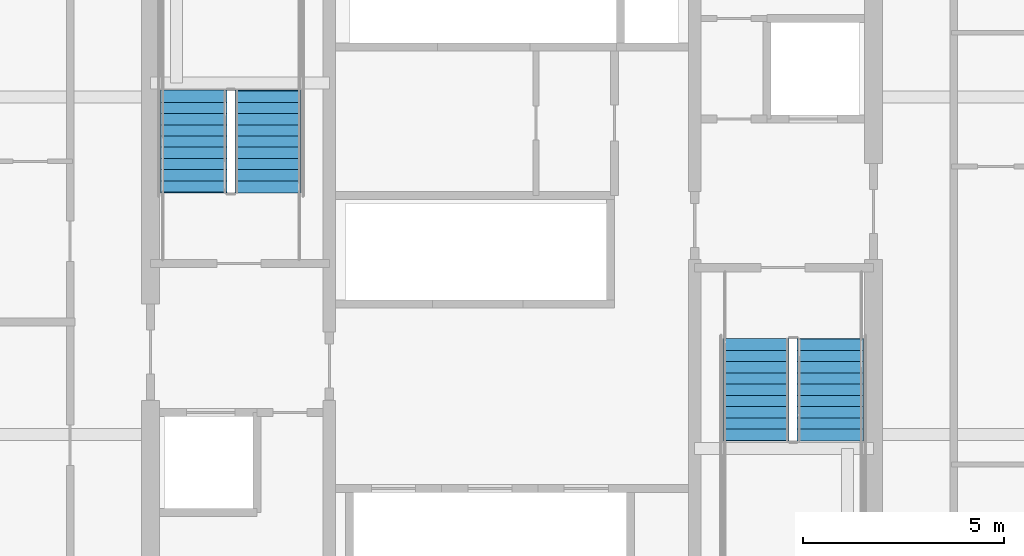
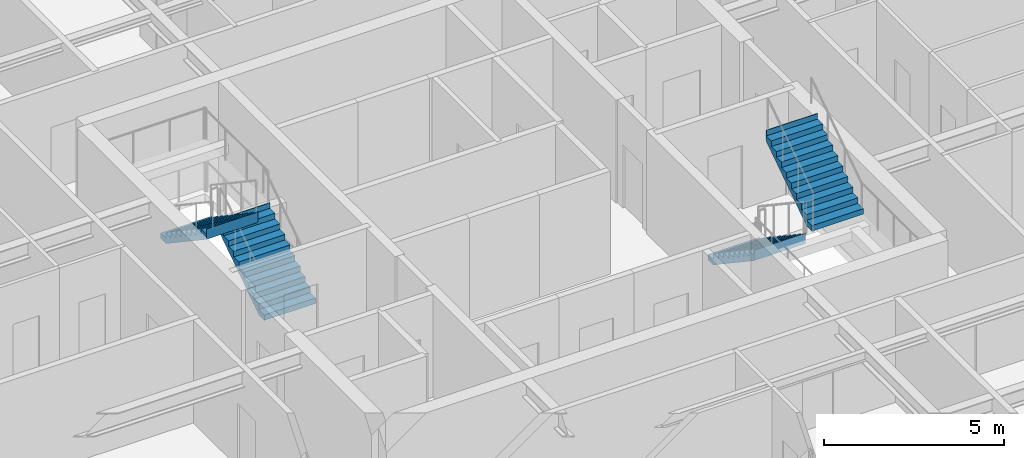
# One storey, part 34 of 41: 4 stair flights, 2 elements without a shape of their own.
"""IFC4 building model written with IfcOpenShell, lengths in metres."""

from ifc_helpers import new_model, si_unit, direction, frame, origin, place, context, subcontext, project, spatial, polygons, material, type_object, element, aggregate, save


model = new_model("IFC4")

# Units and contexts
model_context = context("Model", 3, precision=1e-05, world=origin(), true_north=direction((0.0, 1.0)))
body_context = subcontext(model_context, "Body", "Model", "MODEL_VIEW")
ifc_project = project(units=[si_unit("LENGTHUNIT", "METRE"), si_unit("AREAUNIT", "SQUARE_METRE"), si_unit("VOLUMEUNIT", "CUBIC_METRE"), si_unit("PLANEANGLEUNIT", "RADIAN"), si_unit("MASSUNIT", "GRAM", prefix="KILO")], contexts=[model_context])

# Site, building, storey
site_placement = place(None, origin())
site = spatial("IfcSite", under=ifc_project, at=site_placement, CompositionType="ELEMENT")
building_placement = place(site_placement, origin())
building = spatial("IfcBuilding", under=site, at=building_placement, Name="Serunith Strait Residences", CompositionType="ELEMENT")
storey_placement = place(building_placement, frame((0.0, 0.0, 45.449951171875)))
storey = spatial("IfcBuildingStorey", under=building, at=storey_placement, Name="L10", CompositionType="ELEMENT", Elevation=45.449951171875)

# Stair, stair flights
ifc_material = material(Name="Concrete C50/60", Category="concrete")
stair_type_1 = type_object("IfcStairType", Name="STR-CORE-1", PredefinedType="HALF_TURN_STAIR", material=ifc_material)
stair_1_placement = place(storey_placement, origin())
stair_1 = element("IfcStair", 1, at=stair_1_placement, inside=storey, type_object=stair_type_1, Name="L10 Protected Escape Stair ST-1", PredefinedType="HALF_TURN_STAIR")
stair_flight_type_1 = type_object("IfcStairFlightType", Name="FLT-CORE-1", PredefinedType="STRAIGHT", material=ifc_material)
stair_flight_1_placement = place(storey_placement, frame((26.324951171875, 27.030029296875, 0.0), z_axis=(0.0, 0.0, 1.0), x_axis=(0.0, 1.0, 0.0)))
stair_flight_1 = element("IfcStairFlight", 2, at=stair_flight_1_placement, type_object=stair_flight_type_1, Name="ST-1 flight 1", NumberOfRisers=10, NumberOfTreads=9, PredefinedType="STRAIGHT", RiserHeight=0.1875, TreadLength=0.28, context=body_context, shape_type="Tessellation", body=[
    polygons([(-0.02001953125, -0.824951171875, 0.0), (-0.02001953125, -0.824951171875, 0.1875), (0.280029296875, -0.824951171875, 0.1875), (0.280029296875, -0.824951171875, 0.375), (0.56005859375, -0.824951171875, 0.375), (0.56005859375, -0.824951171875, 0.5625), (0.840087890625, -0.824951171875, 0.5625), (0.840087890625, -0.824951171875, 0.75), (1.1201171875, -0.824951171875, 0.75), (1.1201171875, -0.824951171875, 0.9375), (1.39990234375, -0.824951171875, 0.9375), (1.39990234375, -0.824951171875, 1.125), (1.679931640625, -0.824951171875, 1.125), (1.679931640625, -0.824951171875, 1.3125), (1.9599609375, -0.824951171875, 1.3125), (1.9599609375, -0.824951171875, 1.5), (2.239990234375, -0.824951171875, 1.5), (2.239990234375, -0.824951171875, 1.6875), (2.52001953125, -0.824951171875, 1.6875), (2.52001953125, -0.824951171875, 1.875), (2.5400390625, -0.824951171875, 1.875), (2.5400390625, -0.824951171875, 1.81494140625), (2.52001953125, -0.824951171875, 1.507080078125), (0.26953125, -0.824951171875, 0.0), (-0.02001953125, -0.41259765625, 0.0), (-0.02001953125, -0.41259765625, 0.1875), (0.280029296875, -0.41259765625, 0.1875), (0.280029296875, -0.41259765625, 0.375), (0.56005859375, -0.41259765625, 0.375), (0.56005859375, -0.41259765625, 0.5625), (0.840087890625, -0.41259765625, 0.5625), (0.840087890625, -0.41259765625, 0.75), (1.1201171875, -0.41259765625, 0.75), (1.1201171875, -0.41259765625, 0.9375), (1.39990234375, -0.41259765625, 0.9375), (1.39990234375, -0.41259765625, 1.125), (1.679931640625, -0.41259765625, 1.125), (1.679931640625, -0.41259765625, 1.3125), (1.9599609375, -0.41259765625, 1.3125), (1.9599609375, -0.41259765625, 1.5), (2.239990234375, -0.41259765625, 1.5), (2.239990234375, -0.41259765625, 1.6875), (2.52001953125, -0.41259765625, 1.6875), (2.52001953125, -0.41259765625, 1.875), (2.5400390625, -0.41259765625, 1.875), (2.5400390625, -0.41259765625, 1.81494140625), (2.52001953125, -0.41259765625, 1.507080078125), (0.26953125, -0.41259765625, 0.0), (-0.02001953125, 0.0, 0.0), (-0.02001953125, 0.0, 0.1875), (0.280029296875, 0.0, 0.1875), (0.280029296875, 0.0, 0.375), (0.56005859375, 0.0, 0.375), (0.56005859375, 0.0, 0.5625), (0.840087890625, 0.0, 0.5625), (0.840087890625, 0.0, 0.75), (1.1201171875, 0.0, 0.75), (1.1201171875, 0.0, 0.9375), (1.39990234375, 0.0, 0.9375), (1.39990234375, 0.0, 1.125), (1.679931640625, 0.0, 1.125), (1.679931640625, 0.0, 1.3125), (1.9599609375, 0.0, 1.3125), (1.9599609375, 0.0, 1.5), (2.239990234375, 0.0, 1.5), (2.239990234375, 0.0, 1.6875), (2.52001953125, 0.0, 1.6875), (2.52001953125, 0.0, 1.875), (2.5400390625, 0.0, 1.875), (2.5400390625, 0.0, 1.81494140625), (2.52001953125, 0.0, 1.507080078125), (0.26953125, 0.0, 0.0), (-0.02001953125, 0.41259765625, 0.0), (-0.02001953125, 0.41259765625, 0.1875), (0.280029296875, 0.41259765625, 0.1875), (0.280029296875, 0.41259765625, 0.375), (0.56005859375, 0.41259765625, 0.375), (0.56005859375, 0.41259765625, 0.5625), (0.840087890625, 0.41259765625, 0.5625), (0.840087890625, 0.41259765625, 0.75), (1.1201171875, 0.41259765625, 0.75), (1.1201171875, 0.41259765625, 0.9375), (1.39990234375, 0.41259765625, 0.9375), (1.39990234375, 0.41259765625, 1.125), (1.679931640625, 0.41259765625, 1.125), (1.679931640625, 0.41259765625, 1.3125), (1.9599609375, 0.41259765625, 1.3125), (1.9599609375, 0.41259765625, 1.5), (2.239990234375, 0.41259765625, 1.5), (2.239990234375, 0.41259765625, 1.6875), (2.52001953125, 0.41259765625, 1.6875), (2.52001953125, 0.41259765625, 1.875), (2.5400390625, 0.41259765625, 1.875), (2.5400390625, 0.41259765625, 1.81494140625), (2.52001953125, 0.41259765625, 1.507080078125), (0.26953125, 0.41259765625, 0.0), (-0.02001953125, 0.824951171875, 0.0), (-0.02001953125, 0.824951171875, 0.1875), (0.280029296875, 0.824951171875, 0.1875), (0.280029296875, 0.824951171875, 0.375), (0.56005859375, 0.824951171875, 0.375), (0.56005859375, 0.824951171875, 0.5625), (0.840087890625, 0.824951171875, 0.5625), (0.840087890625, 0.824951171875, 0.75), (1.1201171875, 0.824951171875, 0.75), (1.1201171875, 0.824951171875, 0.9375), (1.39990234375, 0.824951171875, 0.9375), (1.39990234375, 0.824951171875, 1.125), (1.679931640625, 0.824951171875, 1.125), (1.679931640625, 0.824951171875, 1.3125), (1.9599609375, 0.824951171875, 1.3125), (1.9599609375, 0.824951171875, 1.5), (2.239990234375, 0.824951171875, 1.5), (2.239990234375, 0.824951171875, 1.6875), (2.52001953125, 0.824951171875, 1.6875), (2.52001953125, 0.824951171875, 1.875), (2.5400390625, 0.824951171875, 1.875), (2.5400390625, 0.824951171875, 1.81494140625), (2.52001953125, 0.824951171875, 1.507080078125), (0.26953125, 0.824951171875, 0.0)], [[[1, 2, 26, 25]], [[2, 3, 27, 26]], [[3, 4, 28, 27]], [[4, 5, 29, 28]], [[5, 6, 30, 29]], [[6, 7, 31, 30]], [[7, 8, 32, 31]], [[8, 9, 33, 32]], [[9, 10, 34, 33]], [[10, 11, 35, 34]], [[11, 12, 36, 35]], [[12, 13, 37, 36]], [[13, 14, 38, 37]], [[14, 15, 39, 38]], [[15, 16, 40, 39]], [[16, 17, 41, 40]], [[17, 18, 42, 41]], [[18, 19, 43, 42]], [[19, 20, 44, 43]], [[20, 21, 45, 44]], [[21, 22, 46, 45]], [[22, 23, 47, 46]], [[23, 24, 48, 47]], [[24, 1, 25, 48]], [[25, 26, 50, 49]], [[26, 27, 51, 50]], [[27, 28, 52, 51]], [[28, 29, 53, 52]], [[29, 30, 54, 53]], [[30, 31, 55, 54]], [[31, 32, 56, 55]], [[32, 33, 57, 56]], [[33, 34, 58, 57]], [[34, 35, 59, 58]], [[35, 36, 60, 59]], [[36, 37, 61, 60]], [[37, 38, 62, 61]], [[38, 39, 63, 62]], [[39, 40, 64, 63]], [[40, 41, 65, 64]], [[41, 42, 66, 65]], [[42, 43, 67, 66]], [[43, 44, 68, 67]], [[44, 45, 69, 68]], [[45, 46, 70, 69]], [[46, 47, 71, 70]], [[47, 48, 72, 71]], [[48, 25, 49, 72]], [[49, 50, 74, 73]], [[50, 51, 75, 74]], [[51, 52, 76, 75]], [[52, 53, 77, 76]], [[53, 54, 78, 77]], [[54, 55, 79, 78]], [[55, 56, 80, 79]], [[56, 57, 81, 80]], [[57, 58, 82, 81]], [[58, 59, 83, 82]], [[59, 60, 84, 83]], [[60, 61, 85, 84]], [[61, 62, 86, 85]], [[62, 63, 87, 86]], [[63, 64, 88, 87]], [[64, 65, 89, 88]], [[65, 66, 90, 89]], [[66, 67, 91, 90]], [[67, 68, 92, 91]], [[68, 69, 93, 92]], [[69, 70, 94, 93]], [[70, 71, 95, 94]], [[71, 72, 96, 95]], [[72, 49, 73, 96]], [[73, 74, 98, 97]], [[74, 75, 99, 98]], [[75, 76, 100, 99]], [[76, 77, 101, 100]], [[77, 78, 102, 101]], [[78, 79, 103, 102]], [[79, 80, 104, 103]], [[80, 81, 105, 104]], [[81, 82, 106, 105]], [[82, 83, 107, 106]], [[83, 84, 108, 107]], [[84, 85, 109, 108]], [[85, 86, 110, 109]], [[86, 87, 111, 110]], [[87, 88, 112, 111]], [[88, 89, 113, 112]], [[89, 90, 114, 113]], [[90, 91, 115, 114]], [[91, 92, 116, 115]], [[92, 93, 117, 116]], [[93, 94, 118, 117]], [[94, 95, 119, 118]], [[95, 96, 120, 119]], [[96, 73, 97, 120]], [[24, 23, 22, 21, 20, 19, 18, 17, 16, 15, 14, 13, 12, 11, 10, 9, 8, 7, 6, 5, 4, 3, 2, 1]], [[97, 98, 99, 100, 101, 102, 103, 104, 105, 106, 107, 108, 109, 110, 111, 112, 113, 114, 115, 116, 117, 118, 119, 120]]], closed=True),
])
stair_flight_2_placement = place(storey_placement, frame((24.47509765625, 29.550048828125, 1.875), z_axis=(0.0, 0.0, 1.0), x_axis=(0.0, -1.0, 0.0)))
stair_flight_2 = element("IfcStairFlight", 3, at=stair_flight_2_placement, type_object=stair_flight_type_1, Name="ST-1 flight 2", NumberOfRisers=10, NumberOfTreads=9, PredefinedType="STRAIGHT", RiserHeight=0.1875, TreadLength=0.28, context=body_context, shape_type="Tessellation", body=[
    polygons([(-0.02001953125, -0.824951171875, 0.0), (-0.02001953125, -0.824951171875, 0.1875), (0.280029296875, -0.824951171875, 0.1875), (0.280029296875, -0.824951171875, 0.375), (0.56005859375, -0.824951171875, 0.375), (0.56005859375, -0.824951171875, 0.5625), (0.840087890625, -0.824951171875, 0.5625), (0.840087890625, -0.824951171875, 0.75), (1.1201171875, -0.824951171875, 0.75), (1.1201171875, -0.824951171875, 0.9375), (1.39990234375, -0.824951171875, 0.9375), (1.39990234375, -0.824951171875, 1.125), (1.679931640625, -0.824951171875, 1.125), (1.679931640625, -0.824951171875, 1.3125), (1.9599609375, -0.824951171875, 1.3125), (1.9599609375, -0.824951171875, 1.5), (2.239990234375, -0.824951171875, 1.5), (2.239990234375, -0.824951171875, 1.6875), (2.52001953125, -0.824951171875, 1.6875), (2.52001953125, -0.824951171875, 1.875), (2.5400390625, -0.824951171875, 1.875), (2.5400390625, -0.824951171875, 1.81494140625), (2.52001953125, -0.824951171875, 1.507080078125), (0.26953125, -0.824951171875, 0.0), (-0.02001953125, -0.41259765625, 0.0), (-0.02001953125, -0.41259765625, 0.1875), (0.280029296875, -0.41259765625, 0.1875), (0.280029296875, -0.41259765625, 0.375), (0.56005859375, -0.41259765625, 0.375), (0.56005859375, -0.41259765625, 0.5625), (0.840087890625, -0.41259765625, 0.5625), (0.840087890625, -0.41259765625, 0.75), (1.1201171875, -0.41259765625, 0.75), (1.1201171875, -0.41259765625, 0.9375), (1.39990234375, -0.41259765625, 0.9375), (1.39990234375, -0.41259765625, 1.125), (1.679931640625, -0.41259765625, 1.125), (1.679931640625, -0.41259765625, 1.3125), (1.9599609375, -0.41259765625, 1.3125), (1.9599609375, -0.41259765625, 1.5), (2.239990234375, -0.41259765625, 1.5), (2.239990234375, -0.41259765625, 1.6875), (2.52001953125, -0.41259765625, 1.6875), (2.52001953125, -0.41259765625, 1.875), (2.5400390625, -0.41259765625, 1.875), (2.5400390625, -0.41259765625, 1.81494140625), (2.52001953125, -0.41259765625, 1.507080078125), (0.26953125, -0.41259765625, 0.0), (-0.02001953125, 0.0, 0.0), (-0.02001953125, 0.0, 0.1875), (0.280029296875, 0.0, 0.1875), (0.280029296875, 0.0, 0.375), (0.56005859375, 0.0, 0.375), (0.56005859375, 0.0, 0.5625), (0.840087890625, 0.0, 0.5625), (0.840087890625, 0.0, 0.75), (1.1201171875, 0.0, 0.75), (1.1201171875, 0.0, 0.9375), (1.39990234375, 0.0, 0.9375), (1.39990234375, 0.0, 1.125), (1.679931640625, 0.0, 1.125), (1.679931640625, 0.0, 1.3125), (1.9599609375, 0.0, 1.3125), (1.9599609375, 0.0, 1.5), (2.239990234375, 0.0, 1.5), (2.239990234375, 0.0, 1.6875), (2.52001953125, 0.0, 1.6875), (2.52001953125, 0.0, 1.875), (2.5400390625, 0.0, 1.875), (2.5400390625, 0.0, 1.81494140625), (2.52001953125, 0.0, 1.507080078125), (0.26953125, 0.0, 0.0), (-0.02001953125, 0.41259765625, 0.0), (-0.02001953125, 0.41259765625, 0.1875), (0.280029296875, 0.41259765625, 0.1875), (0.280029296875, 0.41259765625, 0.375), (0.56005859375, 0.41259765625, 0.375), (0.56005859375, 0.41259765625, 0.5625), (0.840087890625, 0.41259765625, 0.5625), (0.840087890625, 0.41259765625, 0.75), (1.1201171875, 0.41259765625, 0.75), (1.1201171875, 0.41259765625, 0.9375), (1.39990234375, 0.41259765625, 0.9375), (1.39990234375, 0.41259765625, 1.125), (1.679931640625, 0.41259765625, 1.125), (1.679931640625, 0.41259765625, 1.3125), (1.9599609375, 0.41259765625, 1.3125), (1.9599609375, 0.41259765625, 1.5), (2.239990234375, 0.41259765625, 1.5), (2.239990234375, 0.41259765625, 1.6875), (2.52001953125, 0.41259765625, 1.6875), (2.52001953125, 0.41259765625, 1.875), (2.5400390625, 0.41259765625, 1.875), (2.5400390625, 0.41259765625, 1.81494140625), (2.52001953125, 0.41259765625, 1.507080078125), (0.26953125, 0.41259765625, 0.0), (-0.02001953125, 0.824951171875, 0.0), (-0.02001953125, 0.824951171875, 0.1875), (0.280029296875, 0.824951171875, 0.1875), (0.280029296875, 0.824951171875, 0.375), (0.56005859375, 0.824951171875, 0.375), (0.56005859375, 0.824951171875, 0.5625), (0.840087890625, 0.824951171875, 0.5625), (0.840087890625, 0.824951171875, 0.75), (1.1201171875, 0.824951171875, 0.75), (1.1201171875, 0.824951171875, 0.9375), (1.39990234375, 0.824951171875, 0.9375), (1.39990234375, 0.824951171875, 1.125), (1.679931640625, 0.824951171875, 1.125), (1.679931640625, 0.824951171875, 1.3125), (1.9599609375, 0.824951171875, 1.3125), (1.9599609375, 0.824951171875, 1.5), (2.239990234375, 0.824951171875, 1.5), (2.239990234375, 0.824951171875, 1.6875), (2.52001953125, 0.824951171875, 1.6875), (2.52001953125, 0.824951171875, 1.875), (2.5400390625, 0.824951171875, 1.875), (2.5400390625, 0.824951171875, 1.81494140625), (2.52001953125, 0.824951171875, 1.507080078125), (0.26953125, 0.824951171875, 0.0)], [[[1, 2, 26, 25]], [[2, 3, 27, 26]], [[3, 4, 28, 27]], [[4, 5, 29, 28]], [[5, 6, 30, 29]], [[6, 7, 31, 30]], [[7, 8, 32, 31]], [[8, 9, 33, 32]], [[9, 10, 34, 33]], [[10, 11, 35, 34]], [[11, 12, 36, 35]], [[12, 13, 37, 36]], [[13, 14, 38, 37]], [[14, 15, 39, 38]], [[15, 16, 40, 39]], [[16, 17, 41, 40]], [[17, 18, 42, 41]], [[18, 19, 43, 42]], [[19, 20, 44, 43]], [[20, 21, 45, 44]], [[21, 22, 46, 45]], [[22, 23, 47, 46]], [[23, 24, 48, 47]], [[24, 1, 25, 48]], [[25, 26, 50, 49]], [[26, 27, 51, 50]], [[27, 28, 52, 51]], [[28, 29, 53, 52]], [[29, 30, 54, 53]], [[30, 31, 55, 54]], [[31, 32, 56, 55]], [[32, 33, 57, 56]], [[33, 34, 58, 57]], [[34, 35, 59, 58]], [[35, 36, 60, 59]], [[36, 37, 61, 60]], [[37, 38, 62, 61]], [[38, 39, 63, 62]], [[39, 40, 64, 63]], [[40, 41, 65, 64]], [[41, 42, 66, 65]], [[42, 43, 67, 66]], [[43, 44, 68, 67]], [[44, 45, 69, 68]], [[45, 46, 70, 69]], [[46, 47, 71, 70]], [[47, 48, 72, 71]], [[48, 25, 49, 72]], [[49, 50, 74, 73]], [[50, 51, 75, 74]], [[51, 52, 76, 75]], [[52, 53, 77, 76]], [[53, 54, 78, 77]], [[54, 55, 79, 78]], [[55, 56, 80, 79]], [[56, 57, 81, 80]], [[57, 58, 82, 81]], [[58, 59, 83, 82]], [[59, 60, 84, 83]], [[60, 61, 85, 84]], [[61, 62, 86, 85]], [[62, 63, 87, 86]], [[63, 64, 88, 87]], [[64, 65, 89, 88]], [[65, 66, 90, 89]], [[66, 67, 91, 90]], [[67, 68, 92, 91]], [[68, 69, 93, 92]], [[69, 70, 94, 93]], [[70, 71, 95, 94]], [[71, 72, 96, 95]], [[72, 49, 73, 96]], [[73, 74, 98, 97]], [[74, 75, 99, 98]], [[75, 76, 100, 99]], [[76, 77, 101, 100]], [[77, 78, 102, 101]], [[78, 79, 103, 102]], [[79, 80, 104, 103]], [[80, 81, 105, 104]], [[81, 82, 106, 105]], [[82, 83, 107, 106]], [[83, 84, 108, 107]], [[84, 85, 109, 108]], [[85, 86, 110, 109]], [[86, 87, 111, 110]], [[87, 88, 112, 111]], [[88, 89, 113, 112]], [[89, 90, 114, 113]], [[90, 91, 115, 114]], [[91, 92, 116, 115]], [[92, 93, 117, 116]], [[93, 94, 118, 117]], [[94, 95, 119, 118]], [[95, 96, 120, 119]], [[96, 73, 97, 120]], [[24, 23, 22, 21, 20, 19, 18, 17, 16, 15, 14, 13, 12, 11, 10, 9, 8, 7, 6, 5, 4, 3, 2, 1]], [[97, 98, 99, 100, 101, 102, 103, 104, 105, 106, 107, 108, 109, 110, 111, 112, 113, 114, 115, 116, 117, 118, 119, 120]]], closed=True),
])
aggregate(stair_1, [stair_flight_1, stair_flight_2])

stair_type_2 = type_object("IfcStairType", Name="STR-CORE-2", PredefinedType="HALF_TURN_STAIR", material=ifc_material)
stair_2_placement = place(storey_placement, origin())
stair_2 = element("IfcStair", 4, at=stair_2_placement, inside=storey, type_object=stair_type_2, Name="L10 Protected Escape Stair ST-2", PredefinedType="HALF_TURN_STAIR")
stair_flight_type_2 = type_object("IfcStairFlightType", Name="FLT-CORE-2", PredefinedType="STRAIGHT", material=ifc_material)
stair_flight_3_placement = place(storey_placement, frame((38.47509765625, 23.3701171875, 0.0), z_axis=(0.0, 0.0, 1.0), x_axis=(0.0, -1.0, 0.0)))
stair_flight_3 = element("IfcStairFlight", 5, at=stair_flight_3_placement, type_object=stair_flight_type_2, Name="ST-2 flight 1", NumberOfRisers=10, NumberOfTreads=9, PredefinedType="STRAIGHT", RiserHeight=0.1875, TreadLength=0.28, context=body_context, shape_type="Tessellation", body=[
    polygons([(-0.02001953125, -0.824951171875, 0.0), (-0.02001953125, -0.824951171875, 0.1875), (0.280029296875, -0.824951171875, 0.1875), (0.280029296875, -0.824951171875, 0.375), (0.56005859375, -0.824951171875, 0.375), (0.56005859375, -0.824951171875, 0.5625), (0.840087890625, -0.824951171875, 0.5625), (0.840087890625, -0.824951171875, 0.75), (1.1201171875, -0.824951171875, 0.75), (1.1201171875, -0.824951171875, 0.9375), (1.39990234375, -0.824951171875, 0.9375), (1.39990234375, -0.824951171875, 1.125), (1.679931640625, -0.824951171875, 1.125), (1.679931640625, -0.824951171875, 1.3125), (1.9599609375, -0.824951171875, 1.3125), (1.9599609375, -0.824951171875, 1.5), (2.239990234375, -0.824951171875, 1.5), (2.239990234375, -0.824951171875, 1.6875), (2.52001953125, -0.824951171875, 1.6875), (2.52001953125, -0.824951171875, 1.875), (2.5400390625, -0.824951171875, 1.875), (2.5400390625, -0.824951171875, 1.81494140625), (2.52001953125, -0.824951171875, 1.507080078125), (0.26953125, -0.824951171875, 0.0), (-0.02001953125, -0.41259765625, 0.0), (-0.02001953125, -0.41259765625, 0.1875), (0.280029296875, -0.41259765625, 0.1875), (0.280029296875, -0.41259765625, 0.375), (0.56005859375, -0.41259765625, 0.375), (0.56005859375, -0.41259765625, 0.5625), (0.840087890625, -0.41259765625, 0.5625), (0.840087890625, -0.41259765625, 0.75), (1.1201171875, -0.41259765625, 0.75), (1.1201171875, -0.41259765625, 0.9375), (1.39990234375, -0.41259765625, 0.9375), (1.39990234375, -0.41259765625, 1.125), (1.679931640625, -0.41259765625, 1.125), (1.679931640625, -0.41259765625, 1.3125), (1.9599609375, -0.41259765625, 1.3125), (1.9599609375, -0.41259765625, 1.5), (2.239990234375, -0.41259765625, 1.5), (2.239990234375, -0.41259765625, 1.6875), (2.52001953125, -0.41259765625, 1.6875), (2.52001953125, -0.41259765625, 1.875), (2.5400390625, -0.41259765625, 1.875), (2.5400390625, -0.41259765625, 1.81494140625), (2.52001953125, -0.41259765625, 1.507080078125), (0.26953125, -0.41259765625, 0.0), (-0.02001953125, 0.0, 0.0), (-0.02001953125, 0.0, 0.1875), (0.280029296875, 0.0, 0.1875), (0.280029296875, 0.0, 0.375), (0.56005859375, 0.0, 0.375), (0.56005859375, 0.0, 0.5625), (0.840087890625, 0.0, 0.5625), (0.840087890625, 0.0, 0.75), (1.1201171875, 0.0, 0.75), (1.1201171875, 0.0, 0.9375), (1.39990234375, 0.0, 0.9375), (1.39990234375, 0.0, 1.125), (1.679931640625, 0.0, 1.125), (1.679931640625, 0.0, 1.3125), (1.9599609375, 0.0, 1.3125), (1.9599609375, 0.0, 1.5), (2.239990234375, 0.0, 1.5), (2.239990234375, 0.0, 1.6875), (2.52001953125, 0.0, 1.6875), (2.52001953125, 0.0, 1.875), (2.5400390625, 0.0, 1.875), (2.5400390625, 0.0, 1.81494140625), (2.52001953125, 0.0, 1.507080078125), (0.26953125, 0.0, 0.0), (-0.02001953125, 0.41259765625, 0.0), (-0.02001953125, 0.41259765625, 0.1875), (0.280029296875, 0.41259765625, 0.1875), (0.280029296875, 0.41259765625, 0.375), (0.56005859375, 0.41259765625, 0.375), (0.56005859375, 0.41259765625, 0.5625), (0.840087890625, 0.41259765625, 0.5625), (0.840087890625, 0.41259765625, 0.75), (1.1201171875, 0.41259765625, 0.75), (1.1201171875, 0.41259765625, 0.9375), (1.39990234375, 0.41259765625, 0.9375), (1.39990234375, 0.41259765625, 1.125), (1.679931640625, 0.41259765625, 1.125), (1.679931640625, 0.41259765625, 1.3125), (1.9599609375, 0.41259765625, 1.3125), (1.9599609375, 0.41259765625, 1.5), (2.239990234375, 0.41259765625, 1.5), (2.239990234375, 0.41259765625, 1.6875), (2.52001953125, 0.41259765625, 1.6875), (2.52001953125, 0.41259765625, 1.875), (2.5400390625, 0.41259765625, 1.875), (2.5400390625, 0.41259765625, 1.81494140625), (2.52001953125, 0.41259765625, 1.507080078125), (0.26953125, 0.41259765625, 0.0), (-0.02001953125, 0.824951171875, 0.0), (-0.02001953125, 0.824951171875, 0.1875), (0.280029296875, 0.824951171875, 0.1875), (0.280029296875, 0.824951171875, 0.375), (0.56005859375, 0.824951171875, 0.375), (0.56005859375, 0.824951171875, 0.5625), (0.840087890625, 0.824951171875, 0.5625), (0.840087890625, 0.824951171875, 0.75), (1.1201171875, 0.824951171875, 0.75), (1.1201171875, 0.824951171875, 0.9375), (1.39990234375, 0.824951171875, 0.9375), (1.39990234375, 0.824951171875, 1.125), (1.679931640625, 0.824951171875, 1.125), (1.679931640625, 0.824951171875, 1.3125), (1.9599609375, 0.824951171875, 1.3125), (1.9599609375, 0.824951171875, 1.5), (2.239990234375, 0.824951171875, 1.5), (2.239990234375, 0.824951171875, 1.6875), (2.52001953125, 0.824951171875, 1.6875), (2.52001953125, 0.824951171875, 1.875), (2.5400390625, 0.824951171875, 1.875), (2.5400390625, 0.824951171875, 1.81494140625), (2.52001953125, 0.824951171875, 1.507080078125), (0.26953125, 0.824951171875, 0.0)], [[[1, 2, 26, 25]], [[2, 3, 27, 26]], [[3, 4, 28, 27]], [[4, 5, 29, 28]], [[5, 6, 30, 29]], [[6, 7, 31, 30]], [[7, 8, 32, 31]], [[8, 9, 33, 32]], [[9, 10, 34, 33]], [[10, 11, 35, 34]], [[11, 12, 36, 35]], [[12, 13, 37, 36]], [[13, 14, 38, 37]], [[14, 15, 39, 38]], [[15, 16, 40, 39]], [[16, 17, 41, 40]], [[17, 18, 42, 41]], [[18, 19, 43, 42]], [[19, 20, 44, 43]], [[20, 21, 45, 44]], [[21, 22, 46, 45]], [[22, 23, 47, 46]], [[23, 24, 48, 47]], [[24, 1, 25, 48]], [[25, 26, 50, 49]], [[26, 27, 51, 50]], [[27, 28, 52, 51]], [[28, 29, 53, 52]], [[29, 30, 54, 53]], [[30, 31, 55, 54]], [[31, 32, 56, 55]], [[32, 33, 57, 56]], [[33, 34, 58, 57]], [[34, 35, 59, 58]], [[35, 36, 60, 59]], [[36, 37, 61, 60]], [[37, 38, 62, 61]], [[38, 39, 63, 62]], [[39, 40, 64, 63]], [[40, 41, 65, 64]], [[41, 42, 66, 65]], [[42, 43, 67, 66]], [[43, 44, 68, 67]], [[44, 45, 69, 68]], [[45, 46, 70, 69]], [[46, 47, 71, 70]], [[47, 48, 72, 71]], [[48, 25, 49, 72]], [[49, 50, 74, 73]], [[50, 51, 75, 74]], [[51, 52, 76, 75]], [[52, 53, 77, 76]], [[53, 54, 78, 77]], [[54, 55, 79, 78]], [[55, 56, 80, 79]], [[56, 57, 81, 80]], [[57, 58, 82, 81]], [[58, 59, 83, 82]], [[59, 60, 84, 83]], [[60, 61, 85, 84]], [[61, 62, 86, 85]], [[62, 63, 87, 86]], [[63, 64, 88, 87]], [[64, 65, 89, 88]], [[65, 66, 90, 89]], [[66, 67, 91, 90]], [[67, 68, 92, 91]], [[68, 69, 93, 92]], [[69, 70, 94, 93]], [[70, 71, 95, 94]], [[71, 72, 96, 95]], [[72, 49, 73, 96]], [[73, 74, 98, 97]], [[74, 75, 99, 98]], [[75, 76, 100, 99]], [[76, 77, 101, 100]], [[77, 78, 102, 101]], [[78, 79, 103, 102]], [[79, 80, 104, 103]], [[80, 81, 105, 104]], [[81, 82, 106, 105]], [[82, 83, 107, 106]], [[83, 84, 108, 107]], [[84, 85, 109, 108]], [[85, 86, 110, 109]], [[86, 87, 111, 110]], [[87, 88, 112, 111]], [[88, 89, 113, 112]], [[89, 90, 114, 113]], [[90, 91, 115, 114]], [[91, 92, 116, 115]], [[92, 93, 117, 116]], [[93, 94, 118, 117]], [[94, 95, 119, 118]], [[95, 96, 120, 119]], [[96, 73, 97, 120]], [[24, 23, 22, 21, 20, 19, 18, 17, 16, 15, 14, 13, 12, 11, 10, 9, 8, 7, 6, 5, 4, 3, 2, 1]], [[97, 98, 99, 100, 101, 102, 103, 104, 105, 106, 107, 108, 109, 110, 111, 112, 113, 114, 115, 116, 117, 118, 119, 120]]], closed=True),
])
stair_flight_4_placement = place(storey_placement, frame((40.324951171875, 20.85009765625, 1.875), z_axis=(0.0, 0.0, 1.0), x_axis=(0.0, 1.0, 0.0)))
stair_flight_4 = element("IfcStairFlight", 6, at=stair_flight_4_placement, type_object=stair_flight_type_2, Name="ST-2 flight 2", NumberOfRisers=10, NumberOfTreads=9, PredefinedType="STRAIGHT", RiserHeight=0.1875, TreadLength=0.28, context=body_context, shape_type="Tessellation", body=[
    polygons([(-0.02001953125, -0.824951171875, 0.0), (-0.02001953125, -0.824951171875, 0.1875), (0.280029296875, -0.824951171875, 0.1875), (0.280029296875, -0.824951171875, 0.375), (0.56005859375, -0.824951171875, 0.375), (0.56005859375, -0.824951171875, 0.5625), (0.840087890625, -0.824951171875, 0.5625), (0.840087890625, -0.824951171875, 0.75), (1.1201171875, -0.824951171875, 0.75), (1.1201171875, -0.824951171875, 0.9375), (1.39990234375, -0.824951171875, 0.9375), (1.39990234375, -0.824951171875, 1.125), (1.679931640625, -0.824951171875, 1.125), (1.679931640625, -0.824951171875, 1.3125), (1.9599609375, -0.824951171875, 1.3125), (1.9599609375, -0.824951171875, 1.5), (2.239990234375, -0.824951171875, 1.5), (2.239990234375, -0.824951171875, 1.6875), (2.52001953125, -0.824951171875, 1.6875), (2.52001953125, -0.824951171875, 1.875), (2.5400390625, -0.824951171875, 1.875), (2.5400390625, -0.824951171875, 1.81494140625), (2.52001953125, -0.824951171875, 1.507080078125), (0.26953125, -0.824951171875, 0.0), (-0.02001953125, -0.41259765625, 0.0), (-0.02001953125, -0.41259765625, 0.1875), (0.280029296875, -0.41259765625, 0.1875), (0.280029296875, -0.41259765625, 0.375), (0.56005859375, -0.41259765625, 0.375), (0.56005859375, -0.41259765625, 0.5625), (0.840087890625, -0.41259765625, 0.5625), (0.840087890625, -0.41259765625, 0.75), (1.1201171875, -0.41259765625, 0.75), (1.1201171875, -0.41259765625, 0.9375), (1.39990234375, -0.41259765625, 0.9375), (1.39990234375, -0.41259765625, 1.125), (1.679931640625, -0.41259765625, 1.125), (1.679931640625, -0.41259765625, 1.3125), (1.9599609375, -0.41259765625, 1.3125), (1.9599609375, -0.41259765625, 1.5), (2.239990234375, -0.41259765625, 1.5), (2.239990234375, -0.41259765625, 1.6875), (2.52001953125, -0.41259765625, 1.6875), (2.52001953125, -0.41259765625, 1.875), (2.5400390625, -0.41259765625, 1.875), (2.5400390625, -0.41259765625, 1.81494140625), (2.52001953125, -0.41259765625, 1.507080078125), (0.26953125, -0.41259765625, 0.0), (-0.02001953125, 0.0, 0.0), (-0.02001953125, 0.0, 0.1875), (0.280029296875, 0.0, 0.1875), (0.280029296875, 0.0, 0.375), (0.56005859375, 0.0, 0.375), (0.56005859375, 0.0, 0.5625), (0.840087890625, 0.0, 0.5625), (0.840087890625, 0.0, 0.75), (1.1201171875, 0.0, 0.75), (1.1201171875, 0.0, 0.9375), (1.39990234375, 0.0, 0.9375), (1.39990234375, 0.0, 1.125), (1.679931640625, 0.0, 1.125), (1.679931640625, 0.0, 1.3125), (1.9599609375, 0.0, 1.3125), (1.9599609375, 0.0, 1.5), (2.239990234375, 0.0, 1.5), (2.239990234375, 0.0, 1.6875), (2.52001953125, 0.0, 1.6875), (2.52001953125, 0.0, 1.875), (2.5400390625, 0.0, 1.875), (2.5400390625, 0.0, 1.81494140625), (2.52001953125, 0.0, 1.507080078125), (0.26953125, 0.0, 0.0), (-0.02001953125, 0.41259765625, 0.0), (-0.02001953125, 0.41259765625, 0.1875), (0.280029296875, 0.41259765625, 0.1875), (0.280029296875, 0.41259765625, 0.375), (0.56005859375, 0.41259765625, 0.375), (0.56005859375, 0.41259765625, 0.5625), (0.840087890625, 0.41259765625, 0.5625), (0.840087890625, 0.41259765625, 0.75), (1.1201171875, 0.41259765625, 0.75), (1.1201171875, 0.41259765625, 0.9375), (1.39990234375, 0.41259765625, 0.9375), (1.39990234375, 0.41259765625, 1.125), (1.679931640625, 0.41259765625, 1.125), (1.679931640625, 0.41259765625, 1.3125), (1.9599609375, 0.41259765625, 1.3125), (1.9599609375, 0.41259765625, 1.5), (2.239990234375, 0.41259765625, 1.5), (2.239990234375, 0.41259765625, 1.6875), (2.52001953125, 0.41259765625, 1.6875), (2.52001953125, 0.41259765625, 1.875), (2.5400390625, 0.41259765625, 1.875), (2.5400390625, 0.41259765625, 1.81494140625), (2.52001953125, 0.41259765625, 1.507080078125), (0.26953125, 0.41259765625, 0.0), (-0.02001953125, 0.824951171875, 0.0), (-0.02001953125, 0.824951171875, 0.1875), (0.280029296875, 0.824951171875, 0.1875), (0.280029296875, 0.824951171875, 0.375), (0.56005859375, 0.824951171875, 0.375), (0.56005859375, 0.824951171875, 0.5625), (0.840087890625, 0.824951171875, 0.5625), (0.840087890625, 0.824951171875, 0.75), (1.1201171875, 0.824951171875, 0.75), (1.1201171875, 0.824951171875, 0.9375), (1.39990234375, 0.824951171875, 0.9375), (1.39990234375, 0.824951171875, 1.125), (1.679931640625, 0.824951171875, 1.125), (1.679931640625, 0.824951171875, 1.3125), (1.9599609375, 0.824951171875, 1.3125), (1.9599609375, 0.824951171875, 1.5), (2.239990234375, 0.824951171875, 1.5), (2.239990234375, 0.824951171875, 1.6875), (2.52001953125, 0.824951171875, 1.6875), (2.52001953125, 0.824951171875, 1.875), (2.5400390625, 0.824951171875, 1.875), (2.5400390625, 0.824951171875, 1.81494140625), (2.52001953125, 0.824951171875, 1.507080078125), (0.26953125, 0.824951171875, 0.0)], [[[1, 2, 26, 25]], [[2, 3, 27, 26]], [[3, 4, 28, 27]], [[4, 5, 29, 28]], [[5, 6, 30, 29]], [[6, 7, 31, 30]], [[7, 8, 32, 31]], [[8, 9, 33, 32]], [[9, 10, 34, 33]], [[10, 11, 35, 34]], [[11, 12, 36, 35]], [[12, 13, 37, 36]], [[13, 14, 38, 37]], [[14, 15, 39, 38]], [[15, 16, 40, 39]], [[16, 17, 41, 40]], [[17, 18, 42, 41]], [[18, 19, 43, 42]], [[19, 20, 44, 43]], [[20, 21, 45, 44]], [[21, 22, 46, 45]], [[22, 23, 47, 46]], [[23, 24, 48, 47]], [[24, 1, 25, 48]], [[25, 26, 50, 49]], [[26, 27, 51, 50]], [[27, 28, 52, 51]], [[28, 29, 53, 52]], [[29, 30, 54, 53]], [[30, 31, 55, 54]], [[31, 32, 56, 55]], [[32, 33, 57, 56]], [[33, 34, 58, 57]], [[34, 35, 59, 58]], [[35, 36, 60, 59]], [[36, 37, 61, 60]], [[37, 38, 62, 61]], [[38, 39, 63, 62]], [[39, 40, 64, 63]], [[40, 41, 65, 64]], [[41, 42, 66, 65]], [[42, 43, 67, 66]], [[43, 44, 68, 67]], [[44, 45, 69, 68]], [[45, 46, 70, 69]], [[46, 47, 71, 70]], [[47, 48, 72, 71]], [[48, 25, 49, 72]], [[49, 50, 74, 73]], [[50, 51, 75, 74]], [[51, 52, 76, 75]], [[52, 53, 77, 76]], [[53, 54, 78, 77]], [[54, 55, 79, 78]], [[55, 56, 80, 79]], [[56, 57, 81, 80]], [[57, 58, 82, 81]], [[58, 59, 83, 82]], [[59, 60, 84, 83]], [[60, 61, 85, 84]], [[61, 62, 86, 85]], [[62, 63, 87, 86]], [[63, 64, 88, 87]], [[64, 65, 89, 88]], [[65, 66, 90, 89]], [[66, 67, 91, 90]], [[67, 68, 92, 91]], [[68, 69, 93, 92]], [[69, 70, 94, 93]], [[70, 71, 95, 94]], [[71, 72, 96, 95]], [[72, 49, 73, 96]], [[73, 74, 98, 97]], [[74, 75, 99, 98]], [[75, 76, 100, 99]], [[76, 77, 101, 100]], [[77, 78, 102, 101]], [[78, 79, 103, 102]], [[79, 80, 104, 103]], [[80, 81, 105, 104]], [[81, 82, 106, 105]], [[82, 83, 107, 106]], [[83, 84, 108, 107]], [[84, 85, 109, 108]], [[85, 86, 110, 109]], [[86, 87, 111, 110]], [[87, 88, 112, 111]], [[88, 89, 113, 112]], [[89, 90, 114, 113]], [[90, 91, 115, 114]], [[91, 92, 116, 115]], [[92, 93, 117, 116]], [[93, 94, 118, 117]], [[94, 95, 119, 118]], [[95, 96, 120, 119]], [[96, 73, 97, 120]], [[24, 23, 22, 21, 20, 19, 18, 17, 16, 15, 14, 13, 12, 11, 10, 9, 8, 7, 6, 5, 4, 3, 2, 1]], [[97, 98, 99, 100, 101, 102, 103, 104, 105, 106, 107, 108, 109, 110, 111, 112, 113, 114, 115, 116, 117, 118, 119, 120]]], closed=True),
])
aggregate(stair_2, [stair_flight_3, stair_flight_4])

save(model, "model.ifc")
